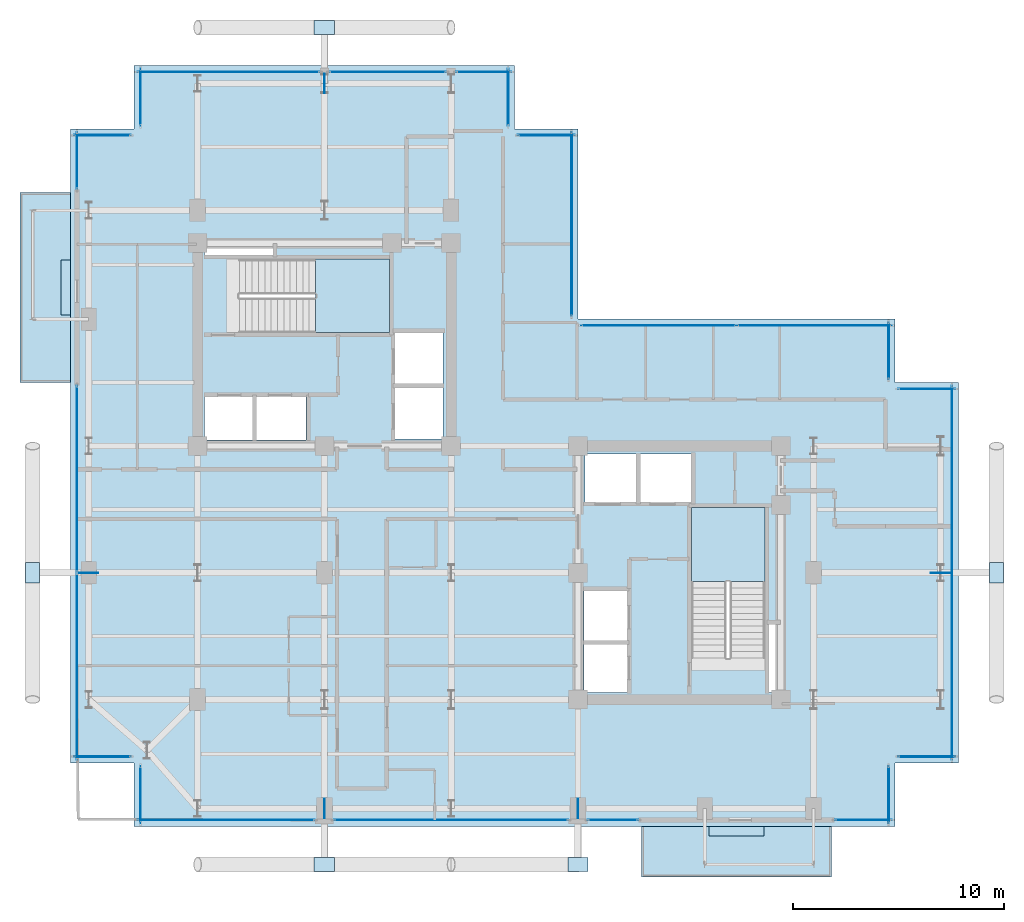
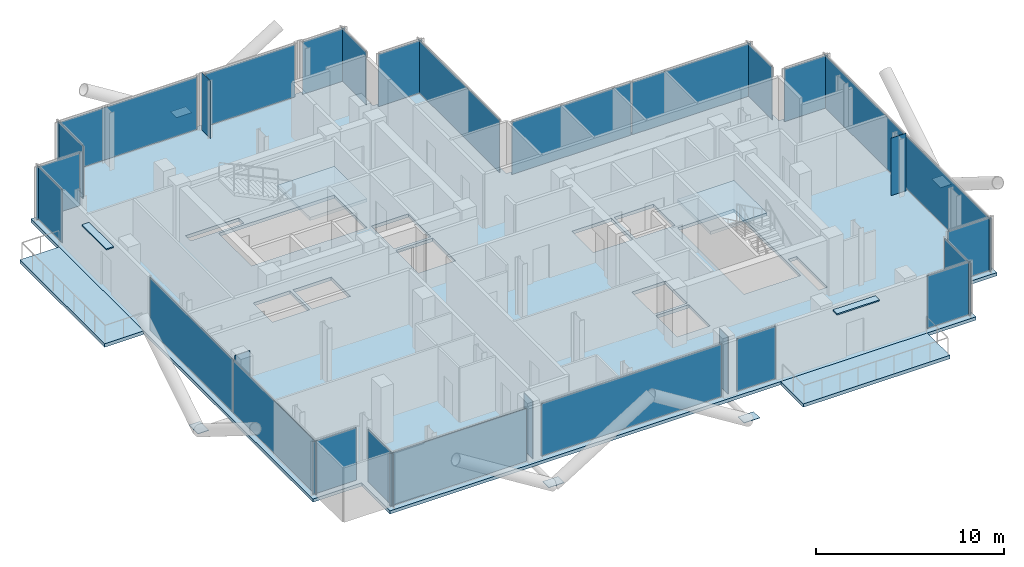
# One storey, part 16 of 25: 36 plates, 5 slabs, 24 elements without a shape of their own.
"""IFC4 building model written with IfcOpenShell, lengths in metres."""

from ifc_helpers import new_model, si_unit, direction, frame, origin, origin_2d, place, context, subcontext, project, spatial, polyline, rectangle, outline, extrude, material, layer, layer_set, type_object, element, aggregate, save


model = new_model("IFC4")

# Units and contexts
model_context = context("Model", 3, precision=1e-05, world=origin(), true_north=direction((0.0, 1.0)))
body_context = subcontext(model_context, "Body", "Model", "MODEL_VIEW")
ifc_project = project(units=[si_unit("LENGTHUNIT", "METRE"), si_unit("AREAUNIT", "SQUARE_METRE"), si_unit("VOLUMEUNIT", "CUBIC_METRE"), si_unit("PLANEANGLEUNIT", "RADIAN"), si_unit("MASSUNIT", "GRAM", prefix="KILO"), si_unit("THERMODYNAMICTEMPERATUREUNIT", "KELVIN"), si_unit("POWERUNIT", "WATT")], contexts=[model_context])

# Site, building, storey
site_placement = place(None, origin())
site = spatial("IfcSite", under=ifc_project, at=site_placement, CompositionType="ELEMENT")
building_placement = place(site_placement, origin())
building = spatial("IfcBuilding", under=site, at=building_placement, Name="Svarakhadi Broadcast Tower", CompositionType="ELEMENT")
storey_placement = place(building_placement, frame((0.0, 0.0, 216.14990234375)))
storey = spatial("IfcBuildingStorey", under=building, at=storey_placement, Name="L53", CompositionType="ELEMENT", Elevation=216.14990234375)

# Curtain wall, plate
ifc_material_1 = material(Name="Anodised Bronze Aluminium AA 6063-T6", Category="aluminium")
ifc_layer_1 = layer(ifc_material_1, 0.18994140625)
ifc_layer_set_1 = layer_set([ifc_layer_1], Name="Anodised Bronze Aluminium AA 6063-T6")
curtain_wall_type = type_object("IfcCurtainWallType", Name="CW_Sys_04", PredefinedType="NOTDEFINED", material=ifc_layer_set_1)
curtain_wall_1_placement = place(storey_placement, origin())
curtain_wall_1 = element("IfcCurtainWall", 1, at=curtain_wall_1_placement, inside=storey, type_object=curtain_wall_type, Name="L53 Unitised Facade Curtain Wall 01", PredefinedType="NOTDEFINED")
ifc_material_2 = material(Name="Double Low-E Laminated Acoustic Glass IGU 36 mm", Category="glass")
ifc_layer_2 = layer(ifc_material_2, 0.033935546875)
ifc_layer_set_2 = layer_set([ifc_layer_2], Name="Double Low-E Laminated Acoustic Glass IGU 36 mm")
plate_type_1 = type_object("IfcPlateType", Name="CW_Sys_04_Pnl", PredefinedType="CURTAIN_PANEL", material=ifc_layer_set_2)
plate_1_placement = place(storey_placement, frame((1.5, 3.300048828125, 0.06494140625), z_axis=(0.0, 0.0, 1.0), x_axis=(-1.0, 0.0, 0.0)))
plate_1 = element("IfcPlate", 2, at=plate_1_placement, type_object=plate_type_1, Name="CW-04 panel 1.1", PredefinedType="CURTAIN_PANEL", context=body_context, shape_type="SweptSolid", body=[
    extrude(rectangle(XDim=2.679931640625, YDim=0.033935546875, at=origin_2d()), origin(), (0.0, 0.0, 1.0), 3.409912109375),
])
aggregate(curtain_wall_1, [plate_1])

# Curtain wall, plates
curtain_wall_2_placement = place(storey_placement, origin())
curtain_wall_2 = element("IfcCurtainWall", 3, at=curtain_wall_2_placement, inside=storey, type_object=curtain_wall_type, Name="L53 West Curtain Wall 02", PredefinedType="NOTDEFINED")
plate_2_placement = place(storey_placement, frame((0.300048828125, 7.5625, 0.06494140625), z_axis=(0.0, 0.0, 1.0), x_axis=(0.0, 1.0, 0.0)))
plate_2 = element("IfcPlate", 4, at=plate_2_placement, type_object=plate_type_1, Name="CW-04 panel 1.1", PredefinedType="CURTAIN_PANEL", context=body_context, shape_type="SweptSolid", body=[
    extrude(rectangle(XDim=8.804931640625, YDim=0.033935546875, at=origin_2d()), origin(), (0.0, 0.0, 1.0), 3.409912109375),
])
plate_3_placement = place(storey_placement, frame((0.300048828125, 16.4375, 0.06494140625), z_axis=(0.0, 0.0, 1.0), x_axis=(0.0, 1.0, 0.0)))
plate_3 = element("IfcPlate", 5, at=plate_3_placement, type_object=plate_type_1, Name="CW-04 panel 2.1", PredefinedType="CURTAIN_PANEL", context=body_context, shape_type="SweptSolid", body=[
    extrude(rectangle(XDim=8.804931640625, YDim=0.033935546875, at=origin_2d()), origin(), (0.0, 0.0, 1.0), 3.409912109375),
])
aggregate(curtain_wall_2, [plate_2, plate_3])

# Curtain wall, plate
curtain_wall_3_placement = place(storey_placement, origin())
curtain_wall_3 = element("IfcCurtainWall", 6, at=curtain_wall_3_placement, inside=storey, type_object=curtain_wall_type, Name="L53 West Curtain Wall 03", PredefinedType="NOTDEFINED")
plate_4_placement = place(storey_placement, frame((0.300048828125, 31.5, 0.06494140625), z_axis=(0.0, 0.0, 1.0), x_axis=(0.0, 1.0, 0.0)))
plate_4 = element("IfcPlate", 7, at=plate_4_placement, type_object=plate_type_1, Name="CW-04 panel 1.1", PredefinedType="CURTAIN_PANEL", context=body_context, shape_type="SweptSolid", body=[
    extrude(rectangle(XDim=2.679931640625, YDim=0.033935546875, at=origin_2d()), origin(), (0.0, 0.0, 1.0), 3.409912109375),
])
aggregate(curtain_wall_3, [plate_4])

curtain_wall_4_placement = place(storey_placement, origin())
curtain_wall_4 = element("IfcCurtainWall", 8, at=curtain_wall_4_placement, inside=storey, type_object=curtain_wall_type, Name="L53 Unitised Facade Curtain Wall 04", PredefinedType="NOTDEFINED")
plate_5_placement = place(storey_placement, frame((1.5, 32.699951171875, 0.06494140625), z_axis=(0.0, 0.0, 1.0), x_axis=(1.0, 0.0, 0.0)))
plate_5 = element("IfcPlate", 9, at=plate_5_placement, type_object=plate_type_1, Name="CW-04 panel 1.1", PredefinedType="CURTAIN_PANEL", context=body_context, shape_type="SweptSolid", body=[
    extrude(rectangle(XDim=2.679931640625, YDim=0.033935546875, at=origin_2d()), origin(), (0.0, 0.0, 1.0), 3.409912109375),
])
aggregate(curtain_wall_4, [plate_5])

curtain_wall_5_placement = place(storey_placement, origin())
curtain_wall_5 = element("IfcCurtainWall", 10, at=curtain_wall_5_placement, inside=storey, type_object=curtain_wall_type, Name="L53 Unitised Facade Curtain Wall 05", PredefinedType="NOTDEFINED")
plate_6_placement = place(storey_placement, frame((3.300048828125, 34.5, 0.06494140625), z_axis=(0.0, 0.0, 1.0), x_axis=(0.0, 1.0, 0.0)))
plate_6 = element("IfcPlate", 11, at=plate_6_placement, type_object=plate_type_1, Name="CW-04 panel 1.1", PredefinedType="CURTAIN_PANEL", context=body_context, shape_type="SweptSolid", body=[
    extrude(rectangle(XDim=2.679931640625, YDim=0.033935546875, at=origin_2d()), origin(), (0.0, 0.0, 1.0), 3.409912109375),
])
aggregate(curtain_wall_5, [plate_6])

curtain_wall_6_placement = place(storey_placement, origin())
curtain_wall_6 = element("IfcCurtainWall", 12, at=curtain_wall_6_placement, inside=storey, type_object=curtain_wall_type, Name="L53 Unitised Facade Curtain Wall 06 Bay 1", PredefinedType="NOTDEFINED")
plate_7_placement = place(storey_placement, frame((7.4599609375, 35.699951171875, 0.06494140625), z_axis=(0.0, 0.0, 1.0), x_axis=(1.0, 0.0, 0.0)))
plate_7 = element("IfcPlate", 13, at=plate_7_placement, type_object=plate_type_1, Name="CW-04 panel 1.1", PredefinedType="CURTAIN_PANEL", context=body_context, shape_type="SweptSolid", body=[
    extrude(rectangle(XDim=8.60009765625, YDim=0.033935546875, at=origin_2d()), origin(), (0.0, 0.0, 1.0), 3.409912109375),
])
aggregate(curtain_wall_6, [plate_7])

curtain_wall_7_placement = place(storey_placement, origin())
curtain_wall_7 = element("IfcCurtainWall", 14, at=curtain_wall_7_placement, inside=storey, type_object=curtain_wall_type, Name="L53 Unitised Facade Curtain Wall 06 Bay 2", PredefinedType="NOTDEFINED")
plate_8_placement = place(storey_placement, frame((15.0, 35.699951171875, 0.06494140625), z_axis=(0.0, 0.0, 1.0), x_axis=(1.0, 0.0, 0.0)))
plate_8 = element("IfcPlate", 15, at=plate_8_placement, type_object=plate_type_1, Name="CW-04 panel 1.1", PredefinedType="CURTAIN_PANEL", context=body_context, shape_type="SweptSolid", body=[
    extrude(rectangle(XDim=5.52001953125, YDim=0.033935546875, at=origin_2d()), origin(), (0.0, 0.0, 1.0), 3.409912109375),
])
aggregate(curtain_wall_7, [plate_8])

curtain_wall_8_placement = place(storey_placement, origin())
curtain_wall_8 = element("IfcCurtainWall", 16, at=curtain_wall_8_placement, inside=storey, type_object=curtain_wall_type, Name="L53 Unitised Facade Curtain Wall 06 Bay 3", PredefinedType="NOTDEFINED")
plate_9_placement = place(storey_placement, frame((19.5400390625, 35.699951171875, 0.06494140625), z_axis=(0.0, 0.0, 1.0), x_axis=(1.0, 0.0, 0.0)))
plate_9 = element("IfcPlate", 17, at=plate_9_placement, type_object=plate_type_1, Name="CW-04 panel 1.1", PredefinedType="CURTAIN_PANEL", context=body_context, shape_type="SweptSolid", body=[
    extrude(rectangle(XDim=2.60009765625, YDim=0.033935546875, at=origin_2d()), origin(), (0.0, 0.0, 1.0), 3.409912109375),
])
aggregate(curtain_wall_8, [plate_9])

curtain_wall_9_placement = place(storey_placement, origin())
curtain_wall_9 = element("IfcCurtainWall", 18, at=curtain_wall_9_placement, inside=storey, type_object=curtain_wall_type, Name="L53 Unitised Facade Curtain Wall 07", PredefinedType="NOTDEFINED")
plate_10_placement = place(storey_placement, frame((20.699951171875, 34.5, 0.06494140625), z_axis=(0.0, 0.0, 1.0), x_axis=(0.0, -1.0, 0.0)))
plate_10 = element("IfcPlate", 19, at=plate_10_placement, type_object=plate_type_1, Name="CW-04 panel 1.1", PredefinedType="CURTAIN_PANEL", context=body_context, shape_type="SweptSolid", body=[
    extrude(rectangle(XDim=2.679931640625, YDim=0.033935546875, at=origin_2d()), origin(), (0.0, 0.0, 1.0), 3.409912109375),
])
aggregate(curtain_wall_9, [plate_10])

curtain_wall_10_placement = place(storey_placement, origin())
curtain_wall_10 = element("IfcCurtainWall", 20, at=curtain_wall_10_placement, inside=storey, type_object=curtain_wall_type, Name="L53 Unitised Facade Curtain Wall 08", PredefinedType="NOTDEFINED")
plate_11_placement = place(storey_placement, frame((22.5, 32.699951171875, 0.06494140625), z_axis=(0.0, 0.0, 1.0), x_axis=(1.0, 0.0, 0.0)))
plate_11 = element("IfcPlate", 21, at=plate_11_placement, type_object=plate_type_1, Name="CW-04 panel 1.1", PredefinedType="CURTAIN_PANEL", context=body_context, shape_type="SweptSolid", body=[
    extrude(rectangle(XDim=2.679931640625, YDim=0.033935546875, at=origin_2d()), origin(), (0.0, 0.0, 1.0), 3.409912109375),
])
aggregate(curtain_wall_10, [plate_11])

curtain_wall_11_placement = place(storey_placement, origin())
curtain_wall_11 = element("IfcCurtainWall", 22, at=curtain_wall_11_placement, inside=storey, type_object=curtain_wall_type, Name="L53 Unitised Facade Curtain Wall 09", PredefinedType="NOTDEFINED")
plate_12_placement = place(storey_placement, frame((23.699951171875, 28.5, 0.06494140625), z_axis=(0.0, 0.0, 1.0), x_axis=(0.0, -1.0, 0.0)))
plate_12 = element("IfcPlate", 23, at=plate_12_placement, type_object=plate_type_1, Name="CW-04 panel 1.1", PredefinedType="CURTAIN_PANEL", context=body_context, shape_type="SweptSolid", body=[
    extrude(rectangle(XDim=8.679931640625, YDim=0.033935546875, at=origin_2d()), origin(), (0.0, 0.0, 1.0), 3.409912109375),
])
aggregate(curtain_wall_11, [plate_12])

# Curtain wall, plates
curtain_wall_12_placement = place(storey_placement, origin())
curtain_wall_12 = element("IfcCurtainWall", 24, at=curtain_wall_12_placement, inside=storey, type_object=curtain_wall_type, Name="L53 Unitised Facade Curtain Wall 10", PredefinedType="NOTDEFINED")
plate_13_placement = place(storey_placement, frame((27.8125, 23.699951171875, 0.06494140625), z_axis=(0.0, 0.0, 1.0), x_axis=(1.0, 0.0, 0.0)))
plate_13 = element("IfcPlate", 25, at=plate_13_placement, type_object=plate_type_1, Name="CW-04 panel 1.1", PredefinedType="CURTAIN_PANEL", context=body_context, shape_type="SweptSolid", body=[
    extrude(rectangle(XDim=7.304931640625, YDim=0.033935546875, at=origin_2d()), origin(), (0.0, 0.0, 1.0), 3.409912109375),
])
plate_14_placement = place(storey_placement, frame((35.1875, 23.699951171875, 0.06494140625), z_axis=(0.0, 0.0, 1.0), x_axis=(1.0, 0.0, 0.0)))
plate_14 = element("IfcPlate", 26, at=plate_14_placement, type_object=plate_type_1, Name="CW-04 panel 2.1", PredefinedType="CURTAIN_PANEL", context=body_context, shape_type="SweptSolid", body=[
    extrude(rectangle(XDim=7.304931640625, YDim=0.033935546875, at=origin_2d()), origin(), (0.0, 0.0, 1.0), 3.409912109375),
])
aggregate(curtain_wall_12, [plate_13, plate_14])

# Curtain wall, plate
curtain_wall_13_placement = place(storey_placement, origin())
curtain_wall_13 = element("IfcCurtainWall", 27, at=curtain_wall_13_placement, inside=storey, type_object=curtain_wall_type, Name="L53 Unitised Facade Curtain Wall 11", PredefinedType="NOTDEFINED")
plate_15_placement = place(storey_placement, frame((38.699951171875, 22.5, 0.06494140625), z_axis=(0.0, 0.0, 1.0), x_axis=(0.0, -1.0, 0.0)))
plate_15 = element("IfcPlate", 28, at=plate_15_placement, type_object=plate_type_1, Name="CW-04 panel 1.1", PredefinedType="CURTAIN_PANEL", context=body_context, shape_type="SweptSolid", body=[
    extrude(rectangle(XDim=2.679931640625, YDim=0.033935546875, at=origin_2d()), origin(), (0.0, 0.0, 1.0), 3.409912109375),
])
aggregate(curtain_wall_13, [plate_15])

curtain_wall_14_placement = place(storey_placement, origin())
curtain_wall_14 = element("IfcCurtainWall", 29, at=curtain_wall_14_placement, inside=storey, type_object=curtain_wall_type, Name="L53 Unitised Facade Curtain Wall 12", PredefinedType="NOTDEFINED")
plate_16_placement = place(storey_placement, frame((40.5, 20.699951171875, 0.06494140625), z_axis=(0.0, 0.0, 1.0), x_axis=(1.0, 0.0, 0.0)))
plate_16 = element("IfcPlate", 30, at=plate_16_placement, type_object=plate_type_1, Name="CW-04 panel 1.1", PredefinedType="CURTAIN_PANEL", context=body_context, shape_type="SweptSolid", body=[
    extrude(rectangle(XDim=2.679931640625, YDim=0.033935546875, at=origin_2d()), origin(), (0.0, 0.0, 1.0), 3.409912109375),
])
aggregate(curtain_wall_14, [plate_16])

curtain_wall_15_placement = place(storey_placement, origin())
curtain_wall_15 = element("IfcCurtainWall", 31, at=curtain_wall_15_placement, inside=storey, type_object=curtain_wall_type, Name="L53 Unitised Facade Curtain Wall 13", PredefinedType="NOTDEFINED")
plate_17_placement = place(storey_placement, frame((41.699951171875, 12.0, 0.06494140625), z_axis=(0.0, 0.0, 1.0), x_axis=(0.0, -1.0, 0.0)))
plate_17 = element("IfcPlate", 32, at=plate_17_placement, type_object=plate_type_1, Name="CW-04 panel 1.1", PredefinedType="CURTAIN_PANEL", context=body_context, shape_type="SweptSolid", body=[
    extrude(rectangle(XDim=17.679931640625, YDim=0.033935546875, at=origin_2d()), origin(), (0.0, 0.0, 1.0), 3.409912109375),
])
aggregate(curtain_wall_15, [plate_17])

curtain_wall_16_placement = place(storey_placement, origin())
curtain_wall_16 = element("IfcCurtainWall", 33, at=curtain_wall_16_placement, inside=storey, type_object=curtain_wall_type, Name="L53 Unitised Facade Curtain Wall 14", PredefinedType="NOTDEFINED")
plate_18_placement = place(storey_placement, frame((40.5, 3.300048828125, 0.06494140625), z_axis=(0.0, 0.0, 1.0), x_axis=(-1.0, 0.0, 0.0)))
plate_18 = element("IfcPlate", 34, at=plate_18_placement, type_object=plate_type_1, Name="CW-04 panel 1.1", PredefinedType="CURTAIN_PANEL", context=body_context, shape_type="SweptSolid", body=[
    extrude(rectangle(XDim=2.679931640625, YDim=0.033935546875, at=origin_2d()), origin(), (0.0, 0.0, 1.0), 3.409912109375),
])
aggregate(curtain_wall_16, [plate_18])

curtain_wall_17_placement = place(storey_placement, origin())
curtain_wall_17 = element("IfcCurtainWall", 35, at=curtain_wall_17_placement, inside=storey, type_object=curtain_wall_type, Name="L53 Unitised Facade Curtain Wall 15", PredefinedType="NOTDEFINED")
plate_19_placement = place(storey_placement, frame((38.699951171875, 1.5, 0.06494140625), z_axis=(0.0, 0.0, 1.0), x_axis=(0.0, -1.0, 0.0)))
plate_19 = element("IfcPlate", 36, at=plate_19_placement, type_object=plate_type_1, Name="CW-04 panel 1.1", PredefinedType="CURTAIN_PANEL", context=body_context, shape_type="SweptSolid", body=[
    extrude(rectangle(XDim=2.679931640625, YDim=0.033935546875, at=origin_2d()), origin(), (0.0, 0.0, 1.0), 3.409912109375),
])
aggregate(curtain_wall_17, [plate_19])

curtain_wall_18_placement = place(storey_placement, origin())
curtain_wall_18 = element("IfcCurtainWall", 37, at=curtain_wall_18_placement, inside=storey, type_object=curtain_wall_type, Name="L53 South Curtain Wall 16", PredefinedType="NOTDEFINED")
plate_20_placement = place(storey_placement, frame((37.5, 0.300048828125, 0.06494140625), z_axis=(0.0, 0.0, 1.0), x_axis=(-1.0, 0.0, 0.0)))
plate_20 = element("IfcPlate", 38, at=plate_20_placement, type_object=plate_type_1, Name="CW-04 panel 1.1", PredefinedType="CURTAIN_PANEL", context=body_context, shape_type="SweptSolid", body=[
    extrude(rectangle(XDim=2.679931640625, YDim=0.033935546875, at=origin_2d()), origin(), (0.0, 0.0, 1.0), 3.409912109375),
])
aggregate(curtain_wall_18, [plate_20])

curtain_wall_19_placement = place(storey_placement, origin())
curtain_wall_19 = element("IfcCurtainWall", 39, at=curtain_wall_19_placement, inside=storey, type_object=curtain_wall_type, Name="L53 South Curtain Wall 17 Bay 1", PredefinedType="NOTDEFINED")
plate_21_placement = place(storey_placement, frame((25.652587890625, 0.300048828125, 0.06494140625), z_axis=(0.0, 0.0, 1.0), x_axis=(-1.0, 0.0, 0.0)))
plate_21 = element("IfcPlate", 40, at=plate_21_placement, type_object=plate_type_1, Name="CW-04 panel 1.1", PredefinedType="CURTAIN_PANEL", context=body_context, shape_type="SweptSolid", body=[
    extrude(rectangle(XDim=2.375, YDim=0.033935546875, at=origin_2d()), origin(), (0.0, 0.0, 1.0), 3.409912109375),
])
aggregate(curtain_wall_19, [plate_21])

curtain_wall_20_placement = place(storey_placement, origin())
curtain_wall_20 = element("IfcCurtainWall", 41, at=curtain_wall_20_placement, inside=storey, type_object=curtain_wall_type, Name="L53 South Curtain Wall 17 Bay 2", PredefinedType="NOTDEFINED")
plate_22_placement = place(storey_placement, frame((18.0, 0.300048828125, 0.06494140625), z_axis=(0.0, 0.0, 1.0), x_axis=(-1.0, 0.0, 0.0)))
plate_22 = element("IfcPlate", 42, at=plate_22_placement, type_object=plate_type_1, Name="CW-04 panel 1.1", PredefinedType="CURTAIN_PANEL", context=body_context, shape_type="SweptSolid", body=[
    extrude(rectangle(XDim=11.070068359375, YDim=0.033935546875, at=origin_2d()), origin(), (0.0, 0.0, 1.0), 3.409912109375),
])
aggregate(curtain_wall_20, [plate_22])

curtain_wall_21_placement = place(storey_placement, origin())
curtain_wall_21 = element("IfcCurtainWall", 43, at=curtain_wall_21_placement, inside=storey, type_object=curtain_wall_type, Name="L53 South Curtain Wall 17 Bay 3", PredefinedType="NOTDEFINED")
plate_23_placement = place(storey_placement, frame((7.347412109375, 0.300048828125, 0.06494140625), z_axis=(0.0, 0.0, 1.0), x_axis=(-1.0, 0.0, 0.0)))
plate_23 = element("IfcPlate", 44, at=plate_23_placement, type_object=plate_type_1, Name="CW-04 panel 1.1", PredefinedType="CURTAIN_PANEL", context=body_context, shape_type="SweptSolid", body=[
    extrude(rectangle(XDim=8.375, YDim=0.033935546875, at=origin_2d()), origin(), (0.0, 0.0, 1.0), 3.409912109375),
])
aggregate(curtain_wall_21, [plate_23])

curtain_wall_22_placement = place(storey_placement, origin())
curtain_wall_22 = element("IfcCurtainWall", 45, at=curtain_wall_22_placement, inside=storey, type_object=curtain_wall_type, Name="L53 Unitised Facade Curtain Wall 18", PredefinedType="NOTDEFINED")
plate_24_placement = place(storey_placement, frame((3.300048828125, 1.5, 0.06494140625), z_axis=(0.0, 0.0, 1.0), x_axis=(0.0, 1.0, 0.0)))
plate_24 = element("IfcPlate", 46, at=plate_24_placement, type_object=plate_type_1, Name="CW-04 panel 1.1", PredefinedType="CURTAIN_PANEL", context=body_context, shape_type="SweptSolid", body=[
    extrude(rectangle(XDim=2.679931640625, YDim=0.033935546875, at=origin_2d()), origin(), (0.0, 0.0, 1.0), 3.409912109375),
])
aggregate(curtain_wall_22, [plate_24])

# Plates
ifc_material_3 = material(Name="Steel S460ML (IS 2062 E450BR)", Category="steel")
ifc_layer_3 = layer(ifc_material_3, 0.028076171875)
ifc_layer_set_3 = layer_set([ifc_layer_3], Name="Steel S460ML (IS 2062 E450BR)")
plate_type_2 = type_object("IfcPlateType", Name="Node_Gusset_N03", PredefinedType="SHEET", material=ifc_layer_set_3)
for number, where, z_axis, x_axis, name in (
    (47, (12.0, -1.800048828125, -0.2099609375), (0.0, 0.0, 1.0), (1.0, 0.0, 0.0), "L53 Exoskeleton Gusset Node Plate S01"),
    (48, (24.0, -1.800048828125, -0.2099609375), (0.0, 0.0, 1.0), (1.0, 0.0, 0.0), "L53 Exoskeleton Gusset Node Plate S02"),
    (49, (-1.800048828125, 12.0, -0.2099609375), (0.0, 0.0, 1.0), (0.0, 1.0, 0.0), "L53 Exoskeleton Gusset Node Plate W03"),
    (50, (43.800048828125, 12.0, -0.2099609375), (0.0, 0.0, 1.0), (0.0, 1.0, 0.0), "L53 Exoskeleton Gusset Node Plate E04"),
    (51, (12.0, 37.800048828125, -0.2099609375), (0.0, 0.0, 1.0), (1.0, 0.0, 0.0), "L53 Exoskeleton Gusset Node Plate N05"),
):
    element("IfcPlate", number, at=place(storey_placement, frame(where, z_axis=z_axis, x_axis=x_axis)), inside=storey, type_object=plate_type_2, Name=name, PredefinedType="SHEET", context=body_context, shape_type="SweptSolid", body=[
        extrude(rectangle(XDim=0.9599609375, YDim=0.659912109375, at=origin_2d()), origin(), (0.0, 0.0, 1.0), 0.028076171875),
    ])
ifc_layer_4 = layer(ifc_material_3, 0.02587890625)
ifc_layer_set_4 = layer_set([ifc_layer_4], Name="Steel S460ML (IS 2062 E450BR)")
plate_type_3 = type_object("IfcPlateType", Name="Node_Gusset_N07", PredefinedType="SHEET", material=ifc_layer_set_4)
for number, where, z_axis, x_axis, name in (
    (52, (12.0, 0.85009765625, -0.57177734375), (0.0, 0.0, 1.0), (0.0, 1.0, 0.0), "L53 Brace End Connection Gusset Plate N-07-E0434"),
    (53, (24.0, 0.85009765625, -0.57177734375), (0.0, 0.0, 1.0), (0.0, 1.0, 0.0), "L53 Brace End Connection Gusset Plate N-07-E0435"),
    (54, (0.85009765625, 12.0, -0.57177734375), (0.0, 0.0, 1.0), (1.0, 0.0, 0.0), "L53 Brace End Connection Gusset Plate N-07-E0436"),
    (55, (41.14990234375, 12.0, -0.57177734375), (0.0, 0.0, 1.0), (1.0, 0.0, 0.0), "L53 Brace End Connection Gusset Plate N-07-E0437"),
    (56, (12.0, 35.14990234375, -0.57177734375), (0.0, 0.0, 1.0), (0.0, 1.0, 0.0), "L53 Brace End Connection Gusset Plate N-07-E0438"),
):
    element("IfcPlate", number, at=place(storey_placement, frame(where, z_axis=z_axis, x_axis=x_axis)), inside=storey, type_object=plate_type_3, Name=name, PredefinedType="SHEET", context=body_context, shape_type="SweptSolid", body=[
        extrude(rectangle(XDim=0.919921875, YDim=0.02587890625, at=origin_2d()), origin(), (0.0, 0.0, 1.0), 4.300048828125),
    ])

# Slab
ifc_material_4 = material(Name="Concrete C40/50 (IS 456 M50)", Category="concrete")
ifc_layer_5 = layer(ifc_material_4, 0.2099609375)
ifc_layer_set_5 = layer_set([ifc_layer_5], Name="Concrete C40/50 (IS 456 M50)")
slab_type_1 = type_object("IfcSlabType", Name="Slab_Floor_210", PredefinedType="FLOOR", material=ifc_layer_set_5)
slab_1_placement = place(storey_placement, frame((0.0, 0.0, -0.2099609375)))
element("IfcSlab", 57, at=slab_1_placement, inside=storey, type_object=slab_type_1, Name="L53 Structural Floor Slab", PredefinedType="FLOOR", context=body_context, shape_type="SweptSolid", body=[
    extrude(outline(polyline([(3.0, 0.0), (39.0, 0.0), (39.0, 3.0), (42.0, 3.0), (42.0, 21.0), (39.0, 21.0), (39.0, 24.0), (24.0, 24.0), (24.0, 33.0), (21.0, 33.0), (21.0, 36.0), (3.0, 36.0), (3.0, 33.0), (0.0, 33.0), (0.0, 3.0), (3.0, 3.0), (3.0, 0.0)]), holes=[polyline([(7.97998046875, 23.360107421875), (15.080078125, 23.360107421875), (15.080078125, 26.840087890625), (7.97998046875, 26.840087890625), (7.97998046875, 23.360107421875)]), polyline([(32.840087890625, 7.97998046875), (32.840087890625, 15.080078125), (29.360107421875, 15.080078125), (29.360107421875, 7.97998046875), (32.840087890625, 7.97998046875)]), polyline([(6.340087890625, 18.2900390625), (8.610107421875, 18.2900390625), (8.610107421875, 20.330078125), (6.340087890625, 20.330078125), (6.340087890625, 18.2900390625)]), polyline([(8.7900390625, 18.2900390625), (11.1298828125, 18.2900390625), (11.1298828125, 20.330078125), (8.7900390625, 20.330078125), (8.7900390625, 18.2900390625)]), polyline([(24.2900390625, 6.340087890625), (26.330078125, 6.340087890625), (26.330078125, 8.610107421875), (24.2900390625, 8.610107421875), (24.2900390625, 6.340087890625)]), polyline([(24.2900390625, 8.7900390625), (26.330078125, 8.7900390625), (26.330078125, 11.1298828125), (24.2900390625, 11.1298828125), (24.2900390625, 8.7900390625)]), polyline([(6.340087890625, 26.989990234375), (9.610107421875, 26.989990234375), (9.610107421875, 27.530029296875), (6.340087890625, 27.530029296875), (6.340087890625, 26.989990234375)]), polyline([(32.989990234375, 6.340087890625), (33.530029296875, 6.340087890625), (33.530029296875, 9.610107421875), (32.989990234375, 9.610107421875), (32.989990234375, 6.340087890625)]), polyline([(15.340087890625, 18.340087890625), (17.610107421875, 18.340087890625), (17.610107421875, 20.760009765625), (15.340087890625, 20.760009765625), (15.340087890625, 18.340087890625)]), polyline([(15.340087890625, 20.93994140625), (17.610107421875, 20.93994140625), (17.610107421875, 23.360107421875), (15.340087890625, 23.360107421875), (15.340087890625, 20.93994140625)]), polyline([(24.340087890625, 15.340087890625), (26.760009765625, 15.340087890625), (26.760009765625, 17.610107421875), (24.340087890625, 17.610107421875), (24.340087890625, 15.340087890625)]), polyline([(26.93994140625, 15.340087890625), (29.360107421875, 15.340087890625), (29.360107421875, 17.610107421875), (26.93994140625, 17.610107421875), (26.93994140625, 15.340087890625)])]), origin(), (0.0, 0.0, 1.0), 0.2099609375),
])

# Stair, slab
stair_type = type_object("IfcStairType", Name="Stair_Exit_Core", PredefinedType="HALF_TURN_STAIR", material=ifc_material_4)
stair_1_placement = place(storey_placement, origin())
stair_1 = element("IfcStair", 58, at=stair_1_placement, inside=storey, type_object=stair_type, Name="L53 West Core Protected Exit Stair ST-01", PredefinedType="HALF_TURN_STAIR")
ifc_layer_6 = layer(ifc_material_4, 0.199951171875)
ifc_layer_set_6 = layer_set([ifc_layer_6], Name="Concrete C40/50 (IS 456 M50)")
slab_type_2 = type_object("IfcSlabType", Name="Slab_Stair_Land", PredefinedType="LANDING", material=ifc_layer_set_6)
slab_2_placement = place(storey_placement, frame((0.0, 0.0, 1.675048828125)))
slab_2 = element("IfcSlab", 59, at=slab_2_placement, type_object=slab_type_2, Name="ST-01 landing 1", PredefinedType="LANDING", context=body_context, shape_type="SweptSolid", body=[
    extrude(outline(polyline([(11.580078125, 23.360107421875), (15.080078125, 23.360107421875), (15.080078125, 26.840087890625), (11.580078125, 26.840087890625), (11.580078125, 23.360107421875)])), origin(), (0.0, 0.0, 1.0), 0.199951171875),
])
aggregate(stair_1, [slab_2])

stair_2_placement = place(storey_placement, origin())
stair_2 = element("IfcStair", 60, at=stair_2_placement, inside=storey, type_object=stair_type, Name="L53 East Core Protected Exit Stair ST-02", PredefinedType="HALF_TURN_STAIR")
slab_3_placement = place(storey_placement, frame((0.0, 0.0, 1.675048828125)))
slab_3 = element("IfcSlab", 61, at=slab_3_placement, type_object=slab_type_2, Name="ST-02 landing 1", PredefinedType="LANDING", context=body_context, shape_type="SweptSolid", body=[
    extrude(outline(polyline([(32.840087890625, 11.580078125), (32.840087890625, 15.080078125), (29.360107421875, 15.080078125), (29.360107421875, 11.580078125), (32.840087890625, 11.580078125)])), origin(), (0.0, 0.0, 1.0), 0.199951171875),
])
aggregate(stair_2, [slab_3])

# Slabs
ifc_layer_7 = layer(ifc_material_4, 0.22509765625)
ifc_layer_set_7 = layer_set([ifc_layer_7], Name="Concrete C40/50 (IS 456 M50)")
slab_type_3 = type_object("IfcSlabType", Name="Slab_TreeBalcony", PredefinedType="FLOOR", material=ifc_layer_set_7)
slab_4_placement = place(storey_placement, frame((0.0, 0.0, -0.224853515625)))
element("IfcSlab", 62, at=slab_4_placement, inside=storey, type_object=slab_type_3, Name="L53 Planted Tree Balcony Slab BAL-E", PredefinedType="FLOOR", context=body_context, shape_type="SweptSolid", body=[
    extrude(outline(polyline([(27.0, -2.39990234375), (36.0, -2.39990234375), (36.0, 0.0), (27.0, 0.0), (27.0, -2.39990234375)])), origin(), (0.0, 0.0, 1.0), 0.224853515625),
])
slab_5_placement = place(storey_placement, frame((0.0, 0.0, -0.224853515625)))
element("IfcSlab", 63, at=slab_5_placement, inside=storey, type_object=slab_type_3, Name="L53 Planted Tree Balcony Slab BAL-N", PredefinedType="FLOOR", context=body_context, shape_type="SweptSolid", body=[
    extrude(outline(polyline([(-2.39990234375, 21.0), (0.0, 21.0), (0.0, 30.0), (-2.39990234375, 30.0), (-2.39990234375, 21.0)])), origin(), (0.0, 0.0, 1.0), 0.224853515625),
])

# Plates
ifc_layer_8 = layer(ifc_material_1, 0.080078125)
ifc_layer_set_8 = layer_set([ifc_layer_8], Name="Anodised Bronze Aluminium AA 6063-T6")
plate_type_4 = type_object("IfcPlateType", Name="Sunshade_Fin_SS01", PredefinedType="USERDEFINED", material=ifc_layer_set_8)
for number, where, z_axis, x_axis, name in (
    (64, (31.5, -0.22509765625, 3.4599609375), (0.0, 0.0, 1.0), (1.0, 0.0, 0.0), "L53 South Bronze Brise-Soleil Sunshade SS-01"),
    (65, (-0.22509765625, 25.5, 3.4599609375), (0.0, 0.0, 1.0), (0.0, 1.0, 0.0), "L53 West Bronze Brise-Soleil Sunshade SS-01"),
):
    element("IfcPlate", number, at=place(storey_placement, frame(where, z_axis=z_axis, x_axis=x_axis)), inside=storey, type_object=plate_type_4, Name=name, ObjectType="SUNSHADE", PredefinedType="USERDEFINED", context=body_context, shape_type="SweptSolid", body=[
        extrude(rectangle(XDim=2.60009765625, YDim=0.449951171875, at=origin_2d()), origin(), (0.0, 0.0, 1.0), 0.080078125),
    ])

save(model, "model.ifc")
